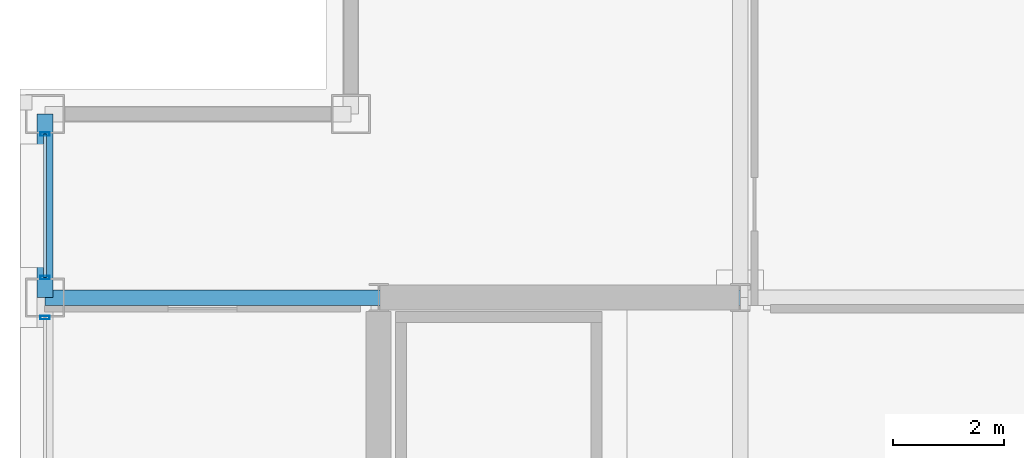
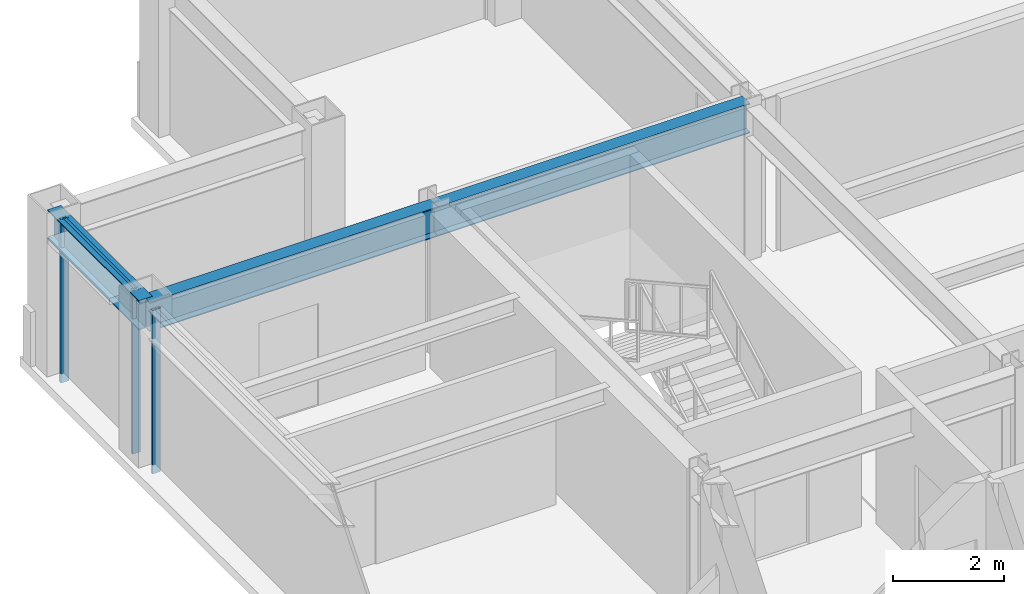
# One storey, part 10 of 30: 4 members, 3 beams, 2 elements without a shape of their own.
"""IFC4 building model written with IfcOpenShell, lengths in metres."""

from ifc_helpers import new_model, si_unit, direction, frame, origin, origin_2d, place, context, subcontext, project, spatial, hollow_rectangle, i_section, extrude, material, layer, layer_set, material_profile, profile_set, type_object, element, aggregate, save


model = new_model("IFC4")

# Units and contexts
model_context = context("Model", 3, precision=1e-05, world=origin(), true_north=direction((0.0, 1.0)))
body_context = subcontext(model_context, "Body", "Model", "MODEL_VIEW")
ifc_project = project(units=[si_unit("LENGTHUNIT", "METRE"), si_unit("AREAUNIT", "SQUARE_METRE"), si_unit("VOLUMEUNIT", "CUBIC_METRE"), si_unit("PLANEANGLEUNIT", "RADIAN"), si_unit("MASSUNIT", "GRAM", prefix="KILO")], contexts=[model_context])

# Site, building, storey
site_placement = place(None, origin())
site = spatial("IfcSite", under=ifc_project, at=site_placement, CompositionType="ELEMENT")
building_placement = place(site_placement, origin())
building = spatial("IfcBuilding", under=site, at=building_placement, Name="Brelmoor Portico Tower", CompositionType="ELEMENT")
storey_placement = place(building_placement, frame((0.0, 0.0, 187.5)))
storey = spatial("IfcBuildingStorey", under=building, at=storey_placement, Name="L49", CompositionType="ELEMENT", Elevation=187.5)

# Beams
ifc_material_1 = material(Name="Steel Q355B", Category="steel")
ifc_material_profile_1 = material_profile(ifc_material_1, i_section(OverallWidth=0.280029296875, OverallDepth=0.64990234375, WebThickness=0.012939453125, FlangeThickness=0.02197265625, at=origin_2d()), Name="HN 650x280x13x22")
ifc_profile_set_1 = profile_set([ifc_material_profile_1], Name="Steel Q355B")
beam_type_1 = type_object("IfcBeamType", Name="BM-PG-650", PredefinedType="BEAM", material=ifc_profile_set_1)
beam_1_placement = place(storey_placement, frame((-20.550048828125, 9.75, 3.074951171875), z_axis=(1.0, 0.0, 0.0), x_axis=(0.0, 1.0, 0.0)))
element("IfcBeam", 1, at=beam_1_placement, inside=storey, type_object=beam_type_1, Name="L49 Primary Floor Girder PG-19", PredefinedType="BEAM", context=body_context, shape_type="SweptSolid", body=[
    extrude(i_section(OverallWidth=0.280029296875, OverallDepth=0.64990234375, WebThickness=0.012939453125, FlangeThickness=0.02197265625, at=origin_2d()), origin(), (0.0, 0.0, 1.0), 6.0),
])
beam_2_placement = place(storey_placement, frame((-14.550048828125, 9.75, 3.074951171875), z_axis=(1.0, 0.0, 0.0), x_axis=(0.0, 1.0, 0.0)))
element("IfcBeam", 2, at=beam_2_placement, inside=storey, type_object=beam_type_1, Name="L49 Primary Floor Girder PG-20", PredefinedType="BEAM", context=body_context, shape_type="SweptSolid", body=[
    extrude(i_section(OverallWidth=0.280029296875, OverallDepth=0.64990234375, WebThickness=0.012939453125, FlangeThickness=0.02197265625, at=origin_2d()), origin(), (0.0, 0.0, 1.0), 6.5),
])
ifc_material_profile_2 = material_profile(ifc_material_1, i_section(OverallWidth=0.280029296875, OverallDepth=0.64990234375, WebThickness=0.012939453125, FlangeThickness=0.02197265625, at=origin_2d()), Name="HN 650x280x13x22")
ifc_profile_set_2 = profile_set([ifc_material_profile_2], Name="Steel Q355B")
beam_type_2 = type_object("IfcBeamType", Name="BM-SP-650", PredefinedType="SPANDREL", material=ifc_profile_set_2)
beam_3_placement = place(storey_placement, frame((-20.550048828125, 9.75, 3.074951171875), z_axis=(0.0, 1.0, 0.0), x_axis=(-1.0, 0.0, 0.0)))
element("IfcBeam", 3, at=beam_3_placement, inside=storey, type_object=beam_type_2, Name="L49 Perimeter Spandrel Beam SP-13", PredefinedType="SPANDREL", context=body_context, shape_type="SweptSolid", body=[
    extrude(i_section(OverallWidth=0.280029296875, OverallDepth=0.64990234375, WebThickness=0.012939453125, FlangeThickness=0.02197265625, at=origin_2d()), origin(), (0.0, 0.0, 1.0), 3.300048828125),
])

# Curtain wall, member
ifc_material_2 = material(Name="Anodised Aluminium Alloy 6063-T6", Category="aluminium")
ifc_layer = layer(ifc_material_2, 0.179931640625)
ifc_layer_set = layer_set([ifc_layer], Name="Anodised Aluminium Alloy 6063-T6")
curtain_wall_type = type_object("IfcCurtainWallType", Name="CW-TOWER-Z3-XB", PredefinedType="NOTDEFINED", material=ifc_layer_set)
curtain_wall_1_placement = place(storey_placement, origin())
curtain_wall_1 = element("IfcCurtainWall", 4, at=curtain_wall_1_placement, inside=storey, type_object=curtain_wall_type, Name="L49 Curtain Wall CW-L49-03-2", PredefinedType="NOTDEFINED")
ifc_material_profile_3 = material_profile(ifc_material_2, hollow_rectangle(XDim=0.06494140625, YDim=0.1650390625, WallThickness=0.00390625, at=origin_2d()), Name="ALU MULLION 65x165")
ifc_profile_set_3 = profile_set([ifc_material_profile_3], Name="Anodised Aluminium Alloy 6063-T6")
member_type_1 = type_object("IfcMemberType", Name="MB-CW-MULL-165", PredefinedType="MULLION", material=ifc_profile_set_3)
member_1_placement = place(storey_placement, frame((-20.550048828125, 9.389892578125, -0.199951171875), z_axis=(0.0, 0.0, 1.0), x_axis=(0.0, 1.0, 0.0)))
member_1 = element("IfcMember", 5, at=member_1_placement, type_object=member_type_1, Name="CW-L49-03-2 Mullion 02", PredefinedType="MULLION", context=body_context, shape_type="SweptSolid", body=[
    extrude(hollow_rectangle(XDim=0.06494140625, YDim=0.1650390625, WallThickness=0.00390625, at=origin_2d()), origin(), (0.0, 0.0, 1.0), 3.599853515625),
])
aggregate(curtain_wall_1, [member_1])

# Curtain wall, members
curtain_wall_2_placement = place(storey_placement, origin())
curtain_wall_2 = element("IfcCurtainWall", 6, at=curtain_wall_2_placement, inside=storey, type_object=curtain_wall_type, Name="L49 Curtain Wall CW-L49-03-3", PredefinedType="NOTDEFINED")
member_2_placement = place(storey_placement, frame((-20.550048828125, 10.110107421875, -0.199951171875), z_axis=(0.0, 0.0, 1.0), x_axis=(0.0, 1.0, 0.0)))
member_2 = element("IfcMember", 7, at=member_2_placement, type_object=member_type_1, Name="CW-L49-03-3 Mullion 00", PredefinedType="MULLION", context=body_context, shape_type="SweptSolid", body=[
    extrude(hollow_rectangle(XDim=0.06494140625, YDim=0.1650390625, WallThickness=0.00390625, at=origin_2d()), origin(), (0.0, 0.0, 1.0), 3.599853515625),
])
member_3_placement = place(storey_placement, frame((-20.550048828125, 12.68994140625, -0.199951171875), z_axis=(0.0, 0.0, 1.0), x_axis=(0.0, 1.0, 0.0)))
member_3 = element("IfcMember", 8, at=member_3_placement, type_object=member_type_1, Name="CW-L49-03-3 Mullion 01", PredefinedType="MULLION", context=body_context, shape_type="SweptSolid", body=[
    extrude(hollow_rectangle(XDim=0.06494140625, YDim=0.1650390625, WallThickness=0.00390625, at=origin_2d()), origin(), (0.0, 0.0, 1.0), 3.599853515625),
])
ifc_material_profile_4 = material_profile(ifc_material_2, hollow_rectangle(XDim=0.06005859375, YDim=0.125, WallThickness=0.00341796875, at=origin_2d()), Name="ALU TRANSOM 60x125")
ifc_profile_set_4 = profile_set([ifc_material_profile_4], Name="Anodised Aluminium Alloy 6063-T6")
member_type_2 = type_object("IfcMemberType", Name="MB-CW-TRAN-125", PredefinedType="USERDEFINED", material=ifc_profile_set_4)
member_4_placement = place(storey_placement, frame((-20.550048828125, 10.110107421875, 3.33740234375), z_axis=(0.0, 1.0, 0.0), x_axis=(-1.0, 0.0, 0.0)))
member_4 = element("IfcMember", 9, at=member_4_placement, type_object=member_type_2, Name="CW-L49-03-3 Transom 1-00", ObjectType="TRANSOM", PredefinedType="USERDEFINED", context=body_context, shape_type="SweptSolid", body=[
    extrude(hollow_rectangle(XDim=0.06005859375, YDim=0.125, WallThickness=0.00341796875, at=origin_2d()), origin(), (0.0, 0.0, 1.0), 2.579833984375),
])
aggregate(curtain_wall_2, [member_2, member_3, member_4])

save(model, "model.ifc")
